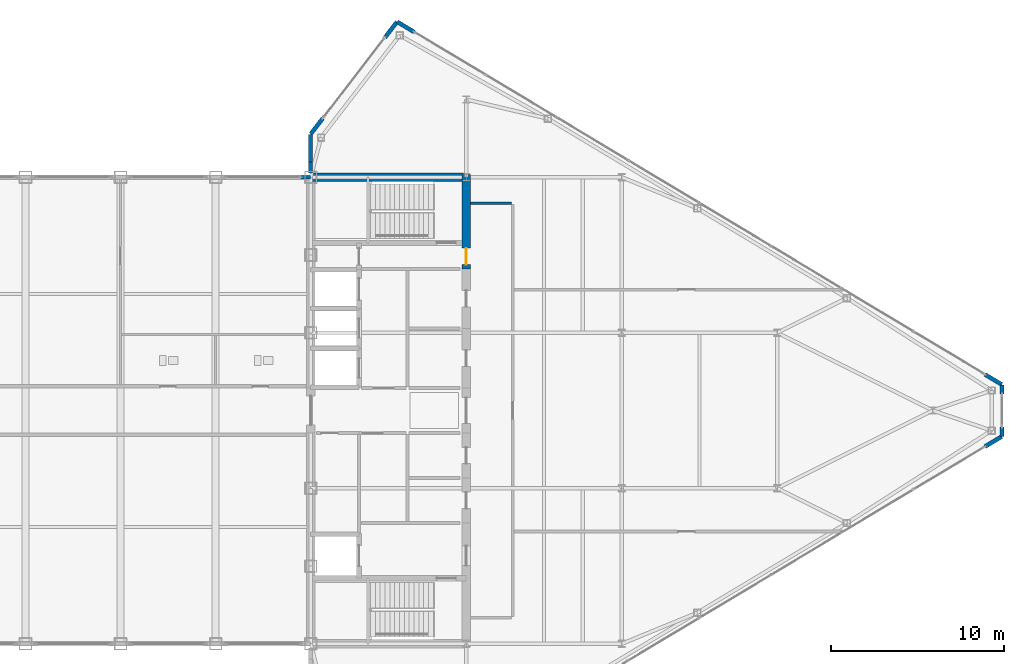
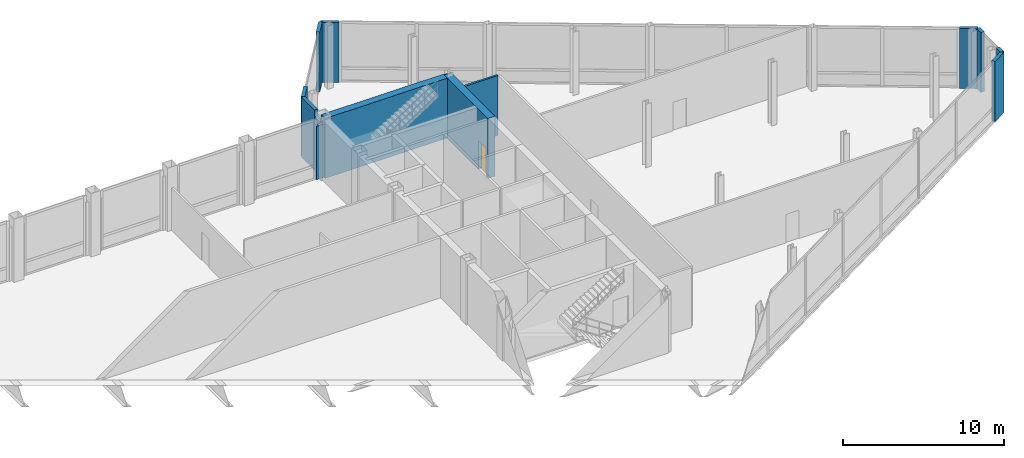
# One storey, part 26 of 29: 13 walls, 1 door, 1 opening.
"""IFC4 building model written with IfcOpenShell, lengths in metres."""

from ifc_helpers import new_model, si_unit, direction, frame, frame_2d, origin, place, context, subcontext, project, spatial, rectangle, extrude, source, transform, mapped, material, layer, layer_set, type_object, type_shapes, element, fill, save


model = new_model("IFC4")

# Units and contexts
model_context = context("Model", 3, precision=1e-05, world=origin(), true_north=direction((0.0, 1.0)))
body_context = subcontext(model_context, "Body", "Model", "MODEL_VIEW")
ifc_project = project(units=[si_unit("LENGTHUNIT", "METRE"), si_unit("AREAUNIT", "SQUARE_METRE"), si_unit("VOLUMEUNIT", "CUBIC_METRE"), si_unit("PLANEANGLEUNIT", "RADIAN"), si_unit("MASSUNIT", "GRAM", prefix="KILO")], contexts=[model_context])

# Site, building, storey
site_placement = place(None, origin())
site = spatial("IfcSite", under=ifc_project, at=site_placement, CompositionType="ELEMENT")
building_placement = place(site_placement, origin())
building = spatial("IfcBuilding", under=site, at=building_placement, Name="Seokmaru Belvedere", CompositionType="ELEMENT")
storey_placement = place(building_placement, frame((0.0, 0.0, 269.39990234375)))
storey = spatial("IfcBuildingStorey", under=building, at=storey_placement, Name="L71", CompositionType="ELEMENT", Elevation=269.39990234375)

# Walls
ifc_material_1 = material(Name="Fire-Rated Gypsum Shaftwall")
ifc_layer_1 = layer(ifc_material_1, 0.14990234375)
ifc_layer_set_1 = layer_set([ifc_layer_1], Name="Fire-Rated Gypsum Shaftwall")
wall_type_1 = type_object("IfcWallType", Name="Apartment Fire-Acoustic Room Partition 150", PredefinedType="PARTITIONING", material=ifc_layer_set_1)
wall_1_placement = place(storey_placement, frame((36.7548828125, 12.0, 0.0), z_axis=(0.0, 0.0, 1.0), x_axis=(1.0, 0.0, 0.0)))
element("IfcWall", 1, at=wall_1_placement, inside=storey, type_object=wall_type_1, Name="L71 Interior Partition 011", PredefinedType="PARTITIONING", context=body_context, shape_type="SweptSolid", body=[
    extrude(rectangle(XDim=2.360107421875, YDim=0.14990234375, at=frame_2d((1.18017578125, 0.0))), origin(), (0.0, 0.0, 1.0), 4.5400390625),
])
ifc_material_2 = material(Name="Anodised Bronze Aluminium", Category="aluminium")
ifc_layer_2 = layer(ifc_material_2, 0.2099609375)
ifc_layer_set_2 = layer_set([ifc_layer_2], Name="Anodised Bronze Aluminium")
wall_type_2 = type_object("IfcWallType", Name="Bridge Column Spandrel Closure Pier 210", PredefinedType="SOLIDWALL", material=ifc_layer_set_2)
wall_2_placement = place(storey_placement, frame((26.949951171875, 13.5, 0.0), z_axis=(0.0, 0.0, 1.0), x_axis=(1.0, 0.0, 0.0)))
element("IfcWall", 2, at=wall_2_placement, inside=storey, type_object=wall_type_2, Name="L71 Bridge North Column Closure Pier 11", PredefinedType="SOLIDWALL", context=body_context, shape_type="SweptSolid", body=[
    extrude(rectangle(XDim=0.5400390625, YDim=0.2099609375, at=frame_2d((0.27001953125, 0.0))), origin(), (0.0, 0.0, 1.0), 4.0400390625),
])
ifc_layer_3 = layer(ifc_material_2, 0.239990234375)
ifc_layer_set_3 = layer_set([ifc_layer_3], Name="Anodised Bronze Aluminium")
wall_type_3 = type_object("IfcWallType", Name="Tower Corner Spandrel Closure Wall 240", PredefinedType="SOLIDWALL", material=ifc_layer_set_3)
wall_3_placement = place(storey_placement, frame((66.513916015625, -2.091796875, 0.0), z_axis=(0.0, 0.0, 1.0), x_axis=(0.85743623509, 0.514590228002, 0.0)))
element("IfcWall", 3, at=wall_3_placement, inside=storey, type_object=wall_type_3, Name="L71 E Corner Closure Pier 1B", PredefinedType="SOLIDWALL", context=body_context, shape_type="SweptSolid", body=[
    extrude(rectangle(XDim=1.14013671875, YDim=0.239990234375, at=frame_2d((0.570068359375, 0.0))), origin(), (0.0, 0.0, 1.0), 4.5400390625),
])
for number, where, z_axis, x_axis, name in (
    (4, (67.5, -1.489990234375, 0.0), (0.0, 0.0, 1.0), (0.0, 1.0, 0.0), "L71 E Apex Closure Pier 2A"),
    (5, (67.5, 0.949951171875, 0.0), (0.0, 0.0, 1.0), (0.0, 1.0, 0.0), "L71 E Apex Closure Pier 2B"),
):
    element("IfcWall", number, at=place(storey_placement, frame(where, z_axis=z_axis, x_axis=x_axis)), inside=storey, type_object=wall_type_3, Name=name, PredefinedType="SOLIDWALL", context=body_context, shape_type="SweptSolid", body=[
        extrude(rectangle(XDim=0.5400390625, YDim=0.239990234375, at=frame_2d((0.27001953125, 0.0))), origin(), (0.0, 0.0, 1.0), 4.5400390625),
    ])
for number, where, z_axis, x_axis, name in (
    (6, (67.491455078125, 1.505126953125, 0.0), (0.0, 0.0, 1.0), (-0.85743623509, 0.514590228002, 0.0), "L71 E Corner Closure Pier 3A"),
    (7, (33.486083984375, 21.908203125, 0.0), (0.0, 0.0, 1.0), (-0.85743623509, 0.514590228002, 0.0), "L71 E Corner Closure Pier 3B"),
    (8, (32.493896484375, 22.4921875, 0.0), (0.0, 0.0, 1.0), (-0.609617623633, -0.792695624408, 0.0), "L71 E Corner Closure Pier 4A"),
    (9, (28.201171875, 16.91162109375, 0.0), (0.0, 0.0, 1.0), (-0.609617623633, -0.792695624408, 0.0), "L71 E Corner Closure Pier 4B"),
):
    element("IfcWall", number, at=place(storey_placement, frame(where, z_axis=z_axis, x_axis=x_axis)), inside=storey, type_object=wall_type_3, Name=name, PredefinedType="SOLIDWALL", context=body_context, shape_type="SweptSolid", body=[
        extrude(rectangle(XDim=1.14013671875, YDim=0.239990234375, at=frame_2d((0.570068359375, 0.0))), origin(), (0.0, 0.0, 1.0), 4.5400390625),
    ])
wall_4_placement = place(storey_placement, frame((27.5, 13.7548828125, 0.0), z_axis=(0.0, 0.0, 1.0), x_axis=(0.0, 1.0, 0.0)))
element("IfcWall", 10, at=wall_4_placement, inside=storey, type_object=wall_type_3, Name="L71 E Shoulder Closure Wall 2", PredefinedType="SOLIDWALL", context=body_context, shape_type="SweptSolid", body=[
    extrude(rectangle(XDim=0.619873046875, YDim=0.239990234375, at=frame_2d((0.31005859375, 0.0))), origin(), (0.0, 0.0, 1.0), 4.0400390625),
])
wall_5_placement = place(storey_placement, frame((27.5, 14.374755859375, 0.0), z_axis=(0.0, 0.0, 1.0), x_axis=(0.0, 1.0, 0.0)))
element("IfcWall", 11, at=wall_5_placement, inside=storey, type_object=wall_type_3, Name="L71 E Shoulder Closure Wall 2 Part 2", PredefinedType="SOLIDWALL", context=body_context, shape_type="SweptSolid", body=[
    extrude(rectangle(XDim=1.605224609375, YDim=0.239990234375, at=frame_2d((0.802734375, 0.0))), origin(), (0.0, 0.0, 1.0), 4.5400390625),
])
ifc_material_3 = material(Name="Concrete C50 (50 MPa)", Category="concrete")
ifc_layer_4 = layer(ifc_material_3, 0.5)
ifc_layer_set_4 = layer_set([ifc_layer_4], Name="Concrete C50 (50 MPa)")
wall_type_4 = type_object("IfcWallType", Name="Upper Tower Reinforced Concrete Core Wall 500", PredefinedType="SHEAR", material=ifc_layer_set_4)
wall_6_placement = place(storey_placement, frame((27.5, 13.5, 0.0), z_axis=(0.0, 0.0, 1.0), x_axis=(1.0, 0.0, 0.0)))
element("IfcWall", 12, at=wall_6_placement, inside=storey, type_object=wall_type_4, Name="L71 East North Core Wall", PredefinedType="SHEAR", context=body_context, shape_type="SweptSolid", body=[
    extrude(rectangle(XDim=9.0, YDim=0.5, at=frame_2d((4.5, 0.0))), origin(), (0.0, 0.0, 1.0), 4.5400390625),
])

# Wall, opening, door
wall_7_placement = place(storey_placement, frame((36.5, 8.199951171875, 0.0), z_axis=(0.0, 0.0, 1.0), x_axis=(0.0, 1.0, 0.0)))
wall_7 = element("IfcWall", 13, at=wall_7_placement, inside=storey, type_object=wall_type_4, Name="L71 East West Core Wall VST", PredefinedType="SHEAR", context=body_context, shape_type="SweptSolid", body=[
    extrude(rectangle(XDim=5.449951171875, YDim=0.5, at=frame_2d((2.72509765625, 0.0))), origin(), (0.0, 0.0, 1.0), 4.5400390625),
])
opening_placement = place(wall_7_placement, frame((0.2451171875, 0.0, 0.0)))
opening = element("IfcOpeningElement", 14, at=opening_placement, cuts=wall_7, Name="Opening D04", PredefinedType="OPENING", context=body_context, shape_type="SweptSolid", body=[
    extrude(rectangle(XDim=0.949951171875, YDim=2.14990234375, at=frame_2d((0.47509765625, 1.074951171875))), frame((0.0, 0.260009765625, 0.0), z_axis=(0.0, -1.0, 0.0), x_axis=(1.0, 0.0, 0.0)), (0.0, 0.0, 1.0), 0.52001953125),
])
ifc_material_4 = material(Name="Fire-Rated Steel Leaf", Category="steel")
door_type = type_object("IfcDoorType", Name="Core Service Room Fire Door 950x2150", OperationType="NOTDEFINED", PredefinedType="DOOR", material=ifc_material_4)
shared_shape = source(origin(), body_context, "Body", "SweptSolid", [
    extrude(rectangle(XDim=0.949951171875, YDim=2.14990234375, at=frame_2d((0.47509765625, 1.074951171875))), frame((0.0, 0.02490234375, 0.0), z_axis=(0.0, -1.0, 0.0), x_axis=(1.0, 0.0, 0.0)), (0.0, 0.0, 1.0), 0.050048828125),
])
type_shapes(door_type, [shared_shape])
door_placement = place(opening_placement, origin())
door = element("IfcDoor", 15, at=door_placement, inside=storey, type_object=door_type, Name="L71 East Smokeproof Vestibule Door", OperationType="SINGLE_SWING_LEFT", OverallHeight=2.14990234375, OverallWidth=0.949951171875, PredefinedType="DOOR", context=body_context, shape_type="MappedRepresentation", body=[
    mapped(shared_shape, transform((0.0, 0.0, 0.0), scale=1.0)),
])
fill(opening, door)

save(model, "model.ifc")
